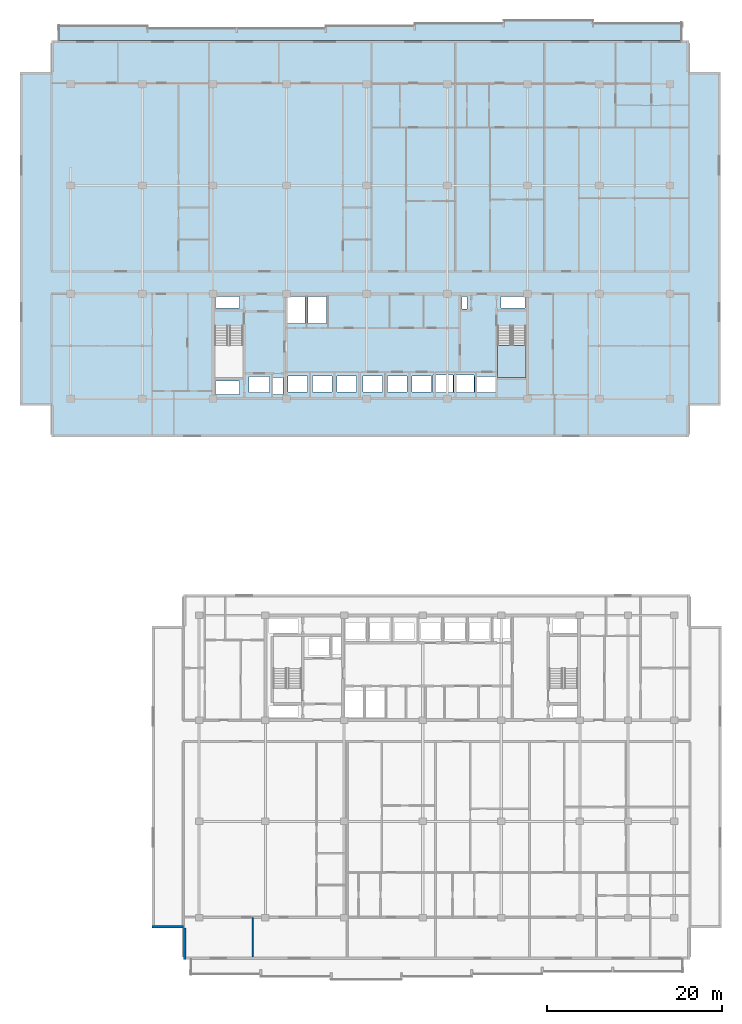
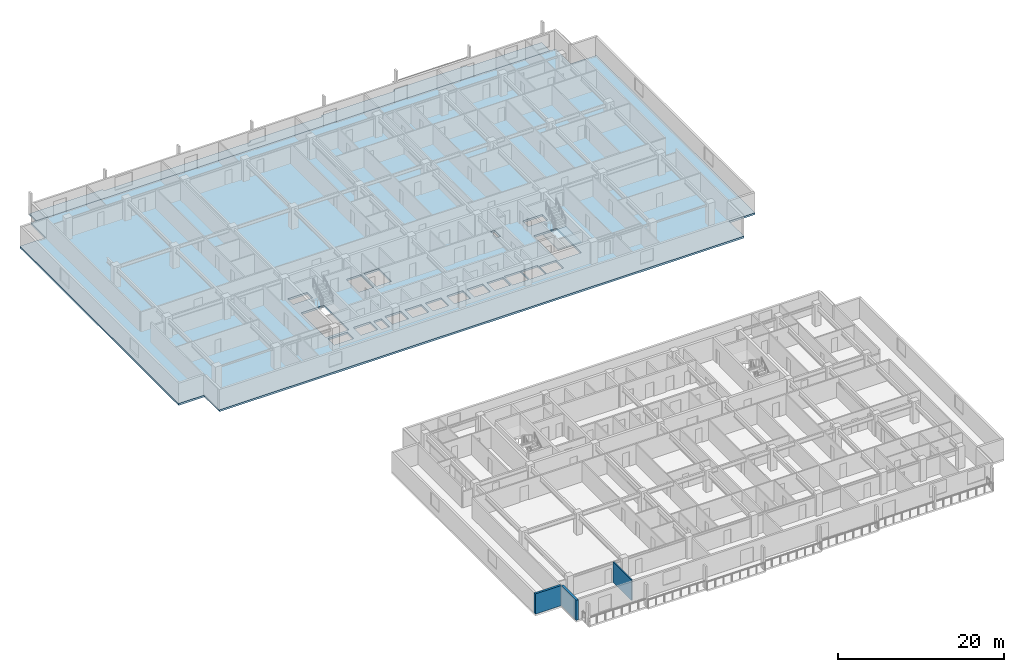
# One storey, part 3 of 21: 3 slabs, 3 walls, 1 element without a shape of its own.
"""IFC4 building model written with IfcOpenShell, lengths in metres."""

from ifc_helpers import new_model, si_unit, direction, frame, frame_2d, origin, place, context, subcontext, project, spatial, polyline, rectangle, outline, extrude, material, layer, layer_set, type_object, element, aggregate, save


model = new_model("IFC4")

# Units and contexts
model_context = context("Model", 3, precision=1e-05, world=origin(), true_north=direction((0.0, 1.0)))
body_context = subcontext(model_context, "Body", "Model", "MODEL_VIEW")
ifc_project = project(units=[si_unit("LENGTHUNIT", "METRE"), si_unit("AREAUNIT", "SQUARE_METRE"), si_unit("VOLUMEUNIT", "CUBIC_METRE"), si_unit("PLANEANGLEUNIT", "RADIAN"), si_unit("MASSUNIT", "GRAM", prefix="KILO")], contexts=[model_context])

# Site, building, storey
site_placement = place(None, origin())
site = spatial("IfcSite", under=ifc_project, at=site_placement, CompositionType="ELEMENT")
building_placement = place(site_placement, origin())
building = spatial("IfcBuilding", under=site, at=building_placement, Name="Korimba Cascade Residences", CompositionType="ELEMENT")
storey_placement = place(building_placement, frame((0.0, 0.0, 97.050048828125)))
storey = spatial("IfcBuildingStorey", under=building, at=storey_placement, Name="L27", CompositionType="ELEMENT", Elevation=97.050048828125)

# Stair, slab
ifc_material_1 = material(Name="Concrete C50/60", Category="concrete")
stair_type = type_object("IfcStairType", Name="STR-W2-18R-1806", PredefinedType="HALF_TURN_STAIR", material=ifc_material_1)
stair_placement = place(storey_placement, origin())
stair = element("IfcStair", 1, at=stair_placement, inside=storey, type_object=stair_type, Name="L27 Tower 1 East Fire Stair ST-W2", PredefinedType="HALF_TURN_STAIR")
ifc_layer_1 = layer(ifc_material_1, 0.199951171875)
ifc_layer_set_1 = layer_set([ifc_layer_1], Name="Concrete C50/60")
slab_type_1 = type_object("IfcSlabType", Name="SLB-LND-220", PredefinedType="LANDING", material=ifc_layer_set_1)
slab_1_placement = place(storey_placement, frame((0.0, 0.0, 1.425048828125)))
slab_1 = element("IfcSlab", 2, at=slab_1_placement, type_object=slab_type_1, Name="ST-W2 landing 1", PredefinedType="LANDING", context=body_context, shape_type="SweptSolid", body=[
    extrude(outline(polyline([(108.659912109375, 61.31005859375), (108.659912109375, 57.60009765625), (111.89990234375, 57.60009765625), (111.89990234375, 61.31005859375), (108.659912109375, 61.31005859375)])), origin(), (0.0, 0.0, 1.0), 0.199951171875),
])
aggregate(stair, [slab_1])

# Slabs
ifc_material_2 = material(Name="Precast concrete C40/50", Category="concrete")
ifc_layer_2 = layer(ifc_material_2, 0.239990234375)
ifc_layer_set_2 = layer_set([ifc_layer_2], Name="Precast concrete C40/50")
slab_type_2 = type_object("IfcSlabType", Name="SLB-LOG-240", PredefinedType="FLOOR", material=ifc_layer_set_2)
slab_2_placement = place(storey_placement, frame((0.0, 0.0, -0.239990234375)))
element("IfcSlab", 3, at=slab_2_placement, inside=storey, type_object=slab_type_2, Name="L27 Tower 1 North Loggia Slab", PredefinedType="FLOOR", context=body_context, shape_type="SweptSolid", body=[
    extrude(outline(polyline([(58.39990234375, 96.199951171875), (129.800048828125, 96.199951171875), (129.800048828125, 98.25), (119.60009765625, 98.25), (119.60009765625, 98.550048828125), (109.39990234375, 98.550048828125), (109.39990234375, 98.25), (99.199951171875, 98.25), (99.199951171875, 97.949951171875), (89.0, 97.949951171875), (89.0, 97.64990234375), (68.60009765625, 97.64990234375), (68.60009765625, 97.949951171875), (58.39990234375, 97.949951171875), (58.39990234375, 96.199951171875)])), origin(), (0.0, 0.0, 1.0), 0.239990234375),
])
ifc_layer_3 = layer(ifc_material_1, 0.280029296875)
ifc_layer_set_3 = layer_set([ifc_layer_3], Name="Concrete C50/60")
slab_type_3 = type_object("IfcSlabType", Name="SLB-TYP-280", PredefinedType="FLOOR", material=ifc_layer_set_3)
slab_3_placement = place(storey_placement, frame((0.0, 0.0, -0.280029296875)))
element("IfcSlab", 4, at=slab_3_placement, inside=storey, type_object=slab_type_3, Name="L27 Tower 1 Floor Slab", PredefinedType="FLOOR", context=body_context, shape_type="SweptSolid", body=[
    extrude(outline(polyline([(57.60009765625, 50.800048828125), (130.60009765625, 50.800048828125), (130.60009765625, 54.39990234375), (134.199951171875, 54.39990234375), (134.199951171875, 92.60009765625), (130.60009765625, 92.60009765625), (130.60009765625, 96.199951171875), (57.60009765625, 96.199951171875), (57.60009765625, 92.60009765625), (54.0, 92.60009765625), (54.0, 54.39990234375), (57.60009765625, 54.39990234375), (57.60009765625, 50.800048828125)]), holes=[polyline([(76.300048828125, 63.514892578125), (76.300048828125, 57.60009765625), (79.5400390625, 57.60009765625), (79.5400390625, 63.514892578125), (76.300048828125, 63.514892578125)]), polyline([(108.659912109375, 63.514892578125), (108.659912109375, 57.60009765625), (111.89990234375, 57.60009765625), (111.89990234375, 63.514892578125), (108.659912109375, 63.514892578125)]), polyline([(80.22998046875, 55.8798828125), (82.570068359375, 55.8798828125), (82.570068359375, 57.719970703125), (80.22998046875, 57.719970703125), (80.22998046875, 55.8798828125)]), polyline([(106.080078125, 55.8798828125), (108.419921875, 55.8798828125), (108.419921875, 57.719970703125), (106.080078125, 57.719970703125), (106.080078125, 55.8798828125)]), polyline([(84.679931640625, 55.97998046875), (86.919921875, 55.97998046875), (86.919921875, 57.820068359375), (84.679931640625, 57.820068359375), (84.679931640625, 55.97998046875)]), polyline([(87.47998046875, 55.97998046875), (89.719970703125, 55.97998046875), (89.719970703125, 57.820068359375), (87.47998046875, 57.820068359375), (87.47998046875, 55.97998046875)]), polyline([(90.280029296875, 55.97998046875), (92.52001953125, 55.97998046875), (92.52001953125, 57.820068359375), (90.280029296875, 57.820068359375), (90.280029296875, 55.97998046875)]), polyline([(93.280029296875, 55.97998046875), (95.52001953125, 55.97998046875), (95.52001953125, 57.820068359375), (93.280029296875, 57.820068359375), (93.280029296875, 55.97998046875)]), polyline([(96.080078125, 55.97998046875), (98.320068359375, 55.97998046875), (98.320068359375, 57.820068359375), (96.080078125, 57.820068359375), (96.080078125, 55.97998046875)]), polyline([(98.8798828125, 55.97998046875), (101.1201171875, 55.97998046875), (101.1201171875, 57.820068359375), (98.8798828125, 57.820068359375), (98.8798828125, 55.97998046875)]), polyline([(101.304931640625, 55.8798828125), (103.594970703125, 55.8798828125), (103.594970703125, 57.919921875), (101.304931640625, 57.919921875), (101.304931640625, 55.8798828125)]), polyline([(103.705078125, 55.8798828125), (105.9951171875, 55.8798828125), (105.9951171875, 57.919921875), (103.705078125, 57.919921875), (103.705078125, 55.8798828125)]), polyline([(82.97998046875, 55.679931640625), (84.080078125, 55.679931640625), (84.080078125, 57.6201171875), (82.97998046875, 57.6201171875), (82.97998046875, 55.679931640625)]), polyline([(76.39990234375, 65.56005859375), (79.10009765625, 65.56005859375), (79.10009765625, 66.8798828125), (76.39990234375, 66.8798828125), (76.39990234375, 65.56005859375)]), polyline([(76.39990234375, 55.679931640625), (79.10009765625, 55.679931640625), (79.10009765625, 57.239990234375), (76.39990234375, 57.239990234375), (76.39990234375, 55.679931640625)]), polyline([(84.530029296875, 63.820068359375), (86.6201171875, 63.820068359375), (86.6201171875, 66.8798828125), (84.530029296875, 66.8798828125), (84.530029296875, 63.820068359375)]), polyline([(86.97998046875, 63.820068359375), (89.070068359375, 63.820068359375), (89.070068359375, 66.8798828125), (86.97998046875, 66.8798828125), (86.97998046875, 63.820068359375)]), polyline([(104.6201171875, 65.4599609375), (105.179931640625, 65.4599609375), (105.179931640625, 66.8798828125), (104.6201171875, 66.8798828125), (104.6201171875, 65.4599609375)]), polyline([(109.080078125, 65.56005859375), (111.800048828125, 65.56005859375), (111.800048828125, 66.8798828125), (109.080078125, 66.8798828125), (109.080078125, 65.56005859375)])]), origin(), (0.0, 0.0, 1.0), 0.280029296875),
])

# Walls
ifc_layer_4 = layer(ifc_material_2, 0.300048828125)
ifc_layer_set_4 = layer_set([ifc_layer_4], Name="Precast concrete C40/50")
wall_type_1 = type_object("IfcWallType", Name="EW-STONE-300", PredefinedType="STANDARD", material=ifc_layer_set_4)
wall_1_placement = place(storey_placement, frame((69.10009765625, -5.25, 0.0), z_axis=(0.0, 0.0, 1.0), x_axis=(1.0, 0.0, 0.0)))
element("IfcWall", 5, at=wall_1_placement, inside=storey, type_object=wall_type_1, Name="L27 T2 Perimeter Stone Wall E10", PredefinedType="STANDARD", context=body_context, shape_type="SweptSolid", body=[
    extrude(rectangle(XDim=3.599853515625, YDim=0.300048828125, at=frame_2d((1.7998046875, 0.0))), origin(), (0.0, 0.0, 1.0), 2.969970703125),
])
wall_2_placement = place(storey_placement, frame((72.85009765625, -5.39990234375, 0.0), z_axis=(0.0, 0.0, 1.0), x_axis=(0.0, -1.0, 0.0)))
element("IfcWall", 6, at=wall_2_placement, inside=storey, type_object=wall_type_1, Name="L27 T2 Perimeter Stone Wall E11", PredefinedType="STANDARD", context=body_context, shape_type="SweptSolid", body=[
    extrude(rectangle(XDim=3.60009765625, YDim=0.300048828125, at=frame_2d((1.800048828125, 0.0))), origin(), (0.0, 0.0, 1.0), 2.969970703125),
])
ifc_material_3 = material(Name="Insulated Acoustic Stud Partition", Category="gypsum")
ifc_layer_5 = layer(ifc_material_3, 0.14990234375)
ifc_layer_set_5 = layer_set([ifc_layer_5], Name="Insulated Acoustic Stud Partition")
wall_type_2 = type_object("IfcWallType", Name="WAL-PART-150", PredefinedType="PARTITIONING", material=ifc_layer_set_5)
wall_3_placement = place(storey_placement, frame((80.655029296875, -8.699951171875, 0.0), z_axis=(0.0, 0.0, 1.0), x_axis=(0.0, 1.0, 0.0)))
element("IfcWall", 7, at=wall_3_placement, inside=storey, type_object=wall_type_2, Name="L27 Partition Wall WAL-L27-T2-U01-OUTV", PredefinedType="PARTITIONING", context=body_context, shape_type="SweptSolid", body=[
    extrude(rectangle(XDim=4.469970703125, YDim=0.14990234375, at=frame_2d((2.23486328125, 0.0))), origin(), (0.0, 0.0, 1.0), 2.969970703125),
])

save(model, "model.ifc")
